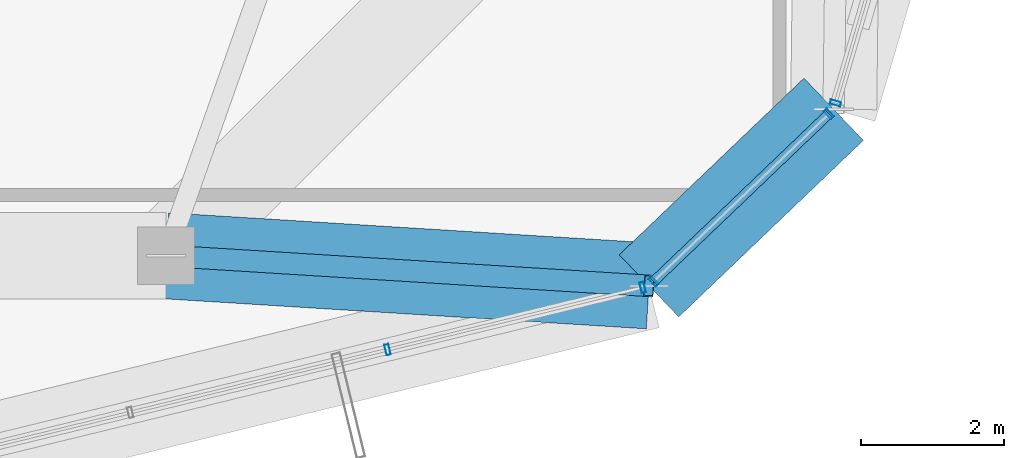
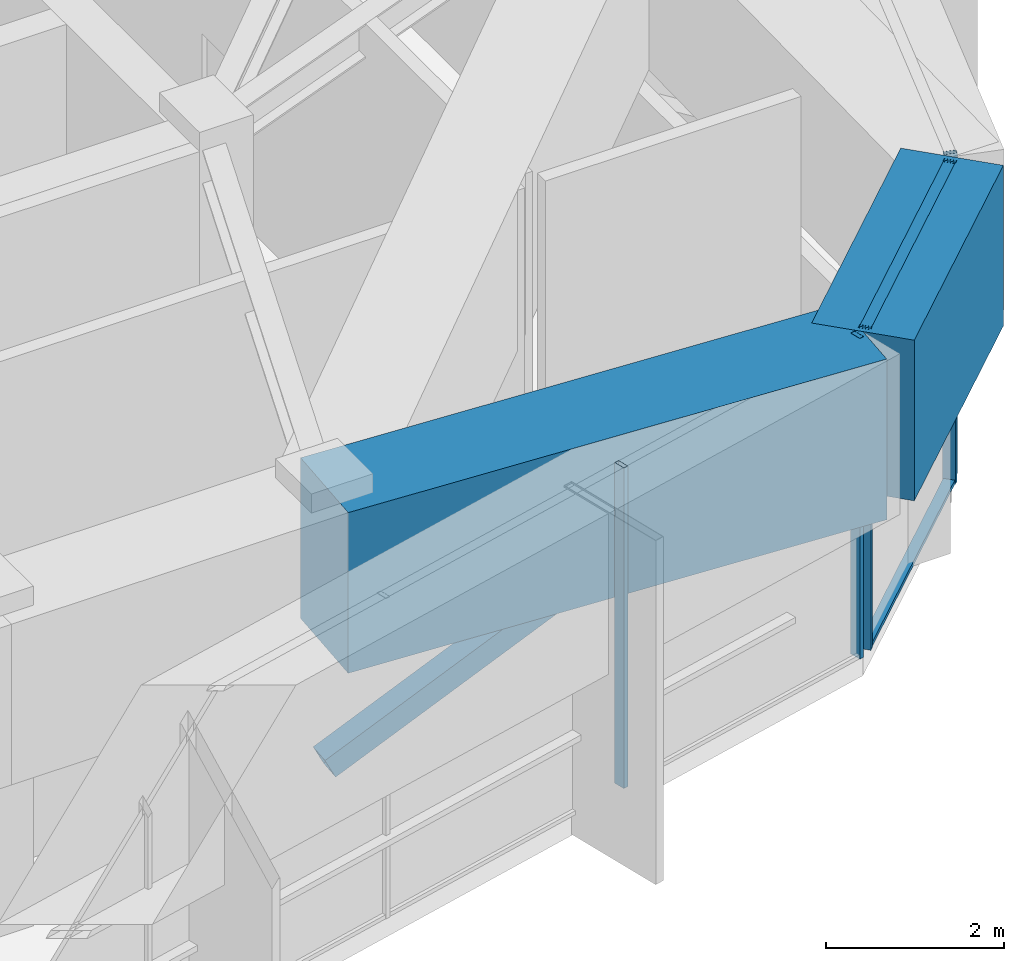
# One storey, part 12 of 39: 8 members, 2 beams, 3 elements without a shape of their own.
"""IFC4 building model written with IfcOpenShell, lengths in metres."""

from ifc_helpers import new_model, si_unit, direction, frame, origin, origin_2d, place, context, subcontext, project, spatial, rectangle, hollow_rectangle, extrude, source, transform, mapped, material, layer, layer_set, material_profile, profile_set, type_object, element, aggregate, save


model = new_model("IFC4")

# Units and contexts
model_context = context("Model", 3, precision=1e-05, world=origin(), true_north=direction((0.0, 1.0)))
body_context = subcontext(model_context, "Body", "Model", "MODEL_VIEW")
ifc_project = project(units=[si_unit("LENGTHUNIT", "METRE"), si_unit("AREAUNIT", "SQUARE_METRE"), si_unit("VOLUMEUNIT", "CUBIC_METRE"), si_unit("PLANEANGLEUNIT", "RADIAN"), si_unit("MASSUNIT", "GRAM", prefix="KILO")], contexts=[model_context])

# Site, building, storey
site_placement = place(None, origin())
site = spatial("IfcSite", under=ifc_project, at=site_placement, CompositionType="ELEMENT")
building_placement = place(site_placement, origin())
building = spatial("IfcBuilding", under=site, at=building_placement, Name="Veraguas Prism Commons", CompositionType="ELEMENT")
storey_placement = place(building_placement, frame((0.0, 0.0, 264.25)))
storey = spatial("IfcBuildingStorey", under=building, at=storey_placement, Name="L75", CompositionType="ELEMENT", Elevation=264.25)

# Beams
ifc_material_1 = material(Name="Concrete C50/60", Category="concrete")
ifc_material_profile_1 = material_profile(ifc_material_1, rectangle(XDim=1.199951171875, YDim=2.199951171875, at=origin_2d()), Name="RC1200X2200")
ifc_profile_set_1 = profile_set([ifc_material_profile_1], Name="Concrete C50/60")
beam_type = type_object("IfcBeamType", Name="Podium Transfer Girder RC 1200x2200", PredefinedType="BEAM", material=ifc_profile_set_1)
beam_1_placement = place(storey_placement, frame((28.39990234375, 10.199951171875, 3.2900390625), z_axis=(0.998065511426, -0.062171013366, 0.0), x_axis=(0.062171013366, 0.998065511426, 0.0)))
element("IfcBeam", 1, at=beam_1_placement, inside=storey, type_object=beam_type, Name="Crown Rib Support Girder L75-11", PredefinedType="BEAM", context=body_context, shape_type="SweptSolid", body=[
    extrude(rectangle(XDim=1.199951171875, YDim=2.199951171875, at=origin_2d()), origin(), (0.0, 0.0, 1.0), 6.746337890625),
])
beam_2_placement = place(storey_placement, frame((35.13330078125, 9.780517578125, 3.2900390625), z_axis=(0.722760918554, 0.691098151214, 0.0), x_axis=(-0.691098151214, 0.722760918554, 0.0)))
element("IfcBeam", 2, at=beam_2_placement, inside=storey, type_object=beam_type, Name="Crown Base Ring Beam L75-11", PredefinedType="BEAM", context=body_context, shape_type="SweptSolid", body=[
    extrude(rectangle(XDim=1.199951171875, YDim=2.199951171875, at=origin_2d()), origin(), (0.0, 0.0, 1.0), 3.562255859375),
])

# Member
ifc_material_2 = material(Name="Steel ASTM A500 Grade C", Category="steel")
ifc_material_profile_2 = material_profile(ifc_material_2, hollow_rectangle(XDim=0.300048828125, YDim=0.300048828125, WallThickness=0.01611328125, at=origin_2d()), Name="HSS300X300X16")
ifc_profile_set_2 = profile_set([ifc_material_profile_2], Name="Steel ASTM A500 Grade C")
member_type_1 = type_object("IfcMemberType", Name="Sky Pool Bracket Strut HSS 300x300x16", PredefinedType="STRUT", material=ifc_profile_set_2)
member_1_placement = place(storey_placement, frame((28.39990234375, 10.199951171875, 0.60009765625), z_axis=(0.894460199752, -0.055717281478, 0.443662637151), x_axis=(0.062171013366, 0.998065511426, 0.0)))
element("IfcMember", 3, at=member_1_placement, inside=storey, type_object=member_type_1, Name="Crown Base Raker Strut L75-11", PredefinedType="STRUT", context=body_context, shape_type="SweptSolid", body=[
    extrude(hollow_rectangle(XDim=0.300048828125, YDim=0.300048828125, WallThickness=0.01611328125, at=origin_2d()), origin(), (0.0, 0.0, 1.0), 7.52783203125),
])

# Curtain wall, members
ifc_material_3 = material(Name="Anodised aluminium EN AW-6063 T6", Category="aluminium")
ifc_layer = layer(ifc_material_3, 0.14990234375, Name="Unitised Flush Curtain Wall Zone 4", Category="aluminium")
ifc_layer_set = layer_set([ifc_layer], Name="Anodised aluminium EN AW-6063 T6")
curtain_wall_type = type_object("IfcCurtainWallType", Name="Unitised Flush Curtain Wall Zone 4", PredefinedType="NOTDEFINED", material=ifc_layer_set)
curtain_wall_1_placement = place(storey_placement, origin())
curtain_wall_1 = element("IfcCurtainWall", 4, at=curtain_wall_1_placement, inside=storey, type_object=curtain_wall_type, Name="Chamfer Curtain Wall L75-C6", PredefinedType="NOTDEFINED")
ifc_material_profile_3 = material_profile(ifc_material_3, hollow_rectangle(XDim=0.054931640625, YDim=0.135009765625, WallThickness=0.0029296875, at=origin_2d()), Name="AL55X135X3")
ifc_profile_set_3 = profile_set([ifc_material_profile_3], Name="Anodised aluminium EN AW-6063 T6")
member_type_2 = type_object("IfcMemberType", Name="Curtain Wall Transom Standard AL 55x135x3", PredefinedType="USERDEFINED", material=ifc_profile_set_3)
shared_shape_1 = source(origin(), body_context, "Body", "SweptSolid", [
    extrude(hollow_rectangle(XDim=0.054931640625, YDim=0.135009765625, WallThickness=0.0029296875, at=origin_2d()), origin(), (0.0, 0.0, 1.0), 3.38232421875),
])
member_2_placement = place(storey_placement, frame((35.198486328125, 9.842529296875, 0.027587890625), z_axis=(0.722737472586, 0.69112267053, 0.0), x_axis=(0.0, 0.0, 1.0)))
member_2 = element("IfcMember", 5, at=member_2_placement, type_object=member_type_2, Name="CW-Z4 Transom 1", ObjectType="TRANSOM", PredefinedType="USERDEFINED", context=body_context, shape_type="MappedRepresentation", body=[
    mapped(shared_shape_1, transform((0.0, 0.0, 0.0), scale=1.0)),
])
member_3_placement = place(storey_placement, frame((35.198486328125, 9.842529296875, 4.362548828125), z_axis=(0.722737472586, 0.69112267053, 0.0), x_axis=(0.0, 0.0, 1.0)))
member_3 = element("IfcMember", 6, at=member_3_placement, type_object=member_type_2, Name="CW-Z4 Transom 2", ObjectType="TRANSOM", PredefinedType="USERDEFINED", context=body_context, shape_type="MappedRepresentation", body=[
    mapped(shared_shape_1, transform((0.0, 0.0, 0.0), scale=1.0)),
])

curtain_wall_2_placement = place(storey_placement, origin())
curtain_wall_2 = element("IfcCurtainWall", 7, at=curtain_wall_2_placement, inside=storey, type_object=curtain_wall_type, Name="Tower Facade Curtain Wall L75-F5", PredefinedType="NOTDEFINED")
ifc_material_profile_4 = material_profile(ifc_material_3, hollow_rectangle(XDim=0.06005859375, YDim=0.14990234375, WallThickness=0.0029296875, at=origin_2d()), Name="AL60X150X3")
ifc_profile_set_4 = profile_set([ifc_material_profile_4], Name="Anodised aluminium EN AW-6063 T6")
member_type_3 = type_object("IfcMemberType", Name="Curtain Wall Mullion Upper AL 60x150x3", PredefinedType="MULLION", material=ifc_profile_set_4)
shared_shape_2 = source(origin(), body_context, "Body", "SweptSolid", [
    extrude(hollow_rectangle(XDim=0.06005859375, YDim=0.14990234375, WallThickness=0.0029296875, at=origin_2d()), origin(), (0.0, 0.0, 1.0), 4.389892578125),
])
member_4_placement = place(storey_placement, frame((31.48876953125, 8.890625, 0.0), z_axis=(0.0, 0.0, 1.0), x_axis=(0.97146556079, 0.237180657305, 0.0)))
member_4 = element("IfcMember", 8, at=member_4_placement, type_object=member_type_3, Name="CW-Z4 Mullion 4", PredefinedType="MULLION", context=body_context, shape_type="MappedRepresentation", body=[
    mapped(shared_shape_2, transform((0.0, 0.0, 0.0), scale=1.0)),
])
member_5_placement = place(storey_placement, frame((35.0458984375, 9.759033203125, 0.0), z_axis=(0.0, 0.0, 1.0), x_axis=(0.97146556079, 0.237180657305, 0.0)))
member_5 = element("IfcMember", 9, at=member_5_placement, type_object=member_type_3, Name="CW-Z4 Mullion 5", PredefinedType="MULLION", context=body_context, shape_type="MappedRepresentation", body=[
    mapped(shared_shape_2, transform((0.0, 0.0, 0.0), scale=1.0)),
])
aggregate(curtain_wall_2, [member_4, member_5])

# Curtain wall, member
curtain_wall_3_placement = place(storey_placement, origin())
curtain_wall_3 = element("IfcCurtainWall", 10, at=curtain_wall_3_placement, inside=storey, type_object=curtain_wall_type, Name="Tower Facade Curtain Wall L75-F6", PredefinedType="NOTDEFINED")
member_6_placement = place(storey_placement, frame((37.7333984375, 12.328857421875, 0.0), z_axis=(0.0, 0.0, 1.0), x_axis=(0.28033835796, 0.959901247554, 0.0)))
member_6 = element("IfcMember", 11, at=member_6_placement, type_object=member_type_3, Name="CW-Z4 Mullion 1", PredefinedType="MULLION", context=body_context, shape_type="MappedRepresentation", body=[
    mapped(shared_shape_2, transform((0.0, 0.0, 0.0), scale=1.0)),
])
aggregate(curtain_wall_3, [member_6])

# Member
member_7_placement = place(storey_placement, frame((35.198486328125, 9.842529296875, 0.0), z_axis=(0.0, 0.0, 1.0), x_axis=(0.722733175919, 0.691127163716, 0.0)))
member_7 = element("IfcMember", 12, at=member_7_placement, type_object=member_type_3, Name="CW-Z4 Mullion 1", PredefinedType="MULLION", context=body_context, shape_type="MappedRepresentation", body=[
    mapped(shared_shape_2, transform((0.0, 0.0, 0.0), scale=1.0)),
])

member_8_placement = place(storey_placement, frame((37.64306640625, 12.18017578125, 0.0), z_axis=(0.0, 0.0, 1.0), x_axis=(0.722733175919, 0.691127163716, 0.0)))
member_8 = element("IfcMember", 13, at=member_8_placement, type_object=member_type_3, Name="CW-Z4 Mullion 2", PredefinedType="MULLION", context=body_context, shape_type="MappedRepresentation", body=[
    mapped(shared_shape_2, transform((0.0, 0.0, 0.0), scale=1.0)),
])

aggregate(curtain_wall_1, [member_7, member_8, member_2, member_3])

save(model, "model.ifc")
